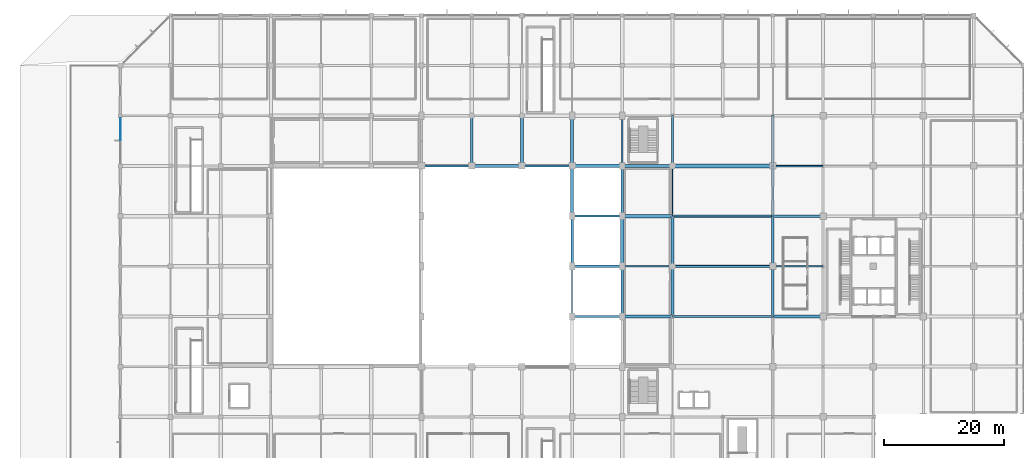
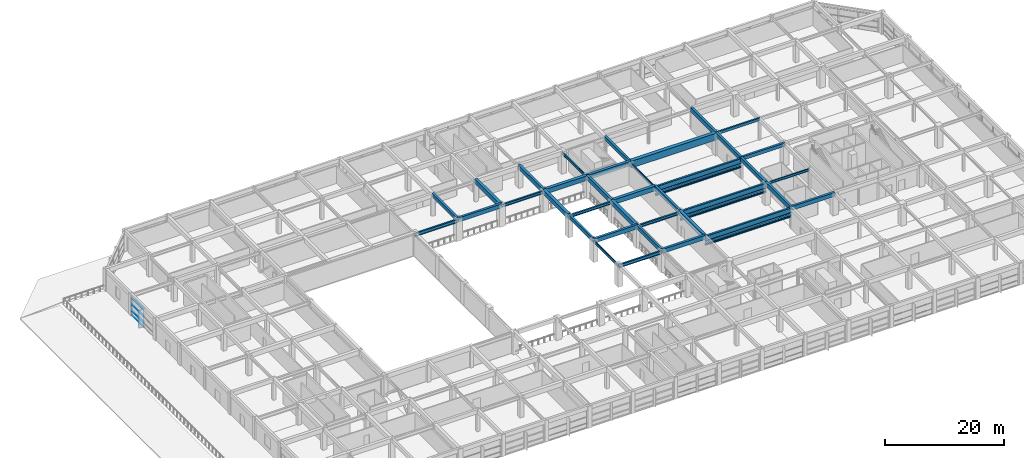
# One storey, part 20 of 56: 37 beams, 7 members, 1 element without a shape of its own.
"""IFC4 building model written with IfcOpenShell, lengths in metres."""

from ifc_helpers import new_model, si_unit, direction, frame, origin, origin_2d, place, context, subcontext, project, spatial, rectangle, i_section, extrude, material, material_profile, profile_set, type_object, element, aggregate, save


model = new_model("IFC4")

# Units and contexts
model_context = context("Model", 3, precision=1e-05, world=origin(), true_north=direction((0.0, 1.0)))
body_context = subcontext(model_context, "Body", "Model", "MODEL_VIEW")
ifc_project = project(units=[si_unit("LENGTHUNIT", "METRE"), si_unit("AREAUNIT", "SQUARE_METRE"), si_unit("VOLUMEUNIT", "CUBIC_METRE"), si_unit("PLANEANGLEUNIT", "RADIAN"), si_unit("MASSUNIT", "GRAM", prefix="KILO")], contexts=[model_context])

# Site, building, storey
site_placement = place(None, origin())
site = spatial("IfcSite", under=ifc_project, at=site_placement, CompositionType="ELEMENT")
building_placement = place(site_placement, origin())
building = spatial("IfcBuilding", under=site, at=building_placement, Name="Xuanlan Plaza Opera House", CompositionType="ELEMENT")
storey_placement = place(building_placement, frame((0.0, 0.0, 18.89990234375)))
storey = spatial("IfcBuildingStorey", under=building, at=storey_placement, Name="L04", CompositionType="ELEMENT", Elevation=18.89990234375)

# Curtain wall, members
ifc_material_1 = material(Name="Anodised Aluminium 6063-T6 and Low-E Glass", Category="aluminium")
curtain_wall_type = type_object("IfcCurtainWallType", Name="ENV-CW-CW-03", PredefinedType="USERDEFINED", material=ifc_material_1)
curtain_wall_placement = place(storey_placement, origin())
curtain_wall = element("IfcCurtainWall", 1, at=curtain_wall_placement, inside=storey, type_object=curtain_wall_type, Name="Unitised Curtain Wall L04-045", ObjectType="UNITISED CURTAIN WALL", PredefinedType="USERDEFINED")
ifc_material_2 = material(Name="Anodised Aluminium 6063-T6", Category="aluminium")
ifc_material_profile_1 = material_profile(ifc_material_2, rectangle(XDim=0.06494140625, YDim=0.1201171875, at=origin_2d()), Name="ALU-T 65x120")
ifc_profile_set_1 = profile_set([ifc_material_profile_1], Name="Anodised Aluminium 6063-T6")
member_type_1 = type_object("IfcMemberType", Name="ENV-CWT-01", PredefinedType="USERDEFINED", material=ifc_profile_set_1)
member_1_placement = place(storey_placement, frame((16.800048828125, 83.614990234375, 0.03271484375), z_axis=(0.0, -1.0, 0.0), x_axis=(1.0, 0.0, 0.0)))
member_1 = element("IfcMember", 2, at=member_1_placement, type_object=member_type_1, Name="CW-03 transom 1.1", ObjectType="TRANSOM", PredefinedType="USERDEFINED", context=body_context, shape_type="SweptSolid", body=[
    extrude(rectangle(XDim=0.06494140625, YDim=0.1201171875, at=origin_2d()), origin(), (0.0, 0.0, 1.0), 3.757568359375),
])
member_2_placement = place(storey_placement, frame((16.800048828125, 83.614990234375, 0.9501953125), z_axis=(0.0, -1.0, 0.0), x_axis=(1.0, 0.0, 0.0)))
member_2 = element("IfcMember", 3, at=member_2_placement, type_object=member_type_1, Name="CW-03 transom 1.2", ObjectType="TRANSOM", PredefinedType="USERDEFINED", context=body_context, shape_type="SweptSolid", body=[
    extrude(rectangle(XDim=0.06494140625, YDim=0.1201171875, at=origin_2d()), origin(), (0.0, 0.0, 1.0), 3.757568359375),
])
member_3_placement = place(storey_placement, frame((16.800048828125, 83.614990234375, 2.25), z_axis=(0.0, -1.0, 0.0), x_axis=(1.0, 0.0, 0.0)))
member_3 = element("IfcMember", 4, at=member_3_placement, type_object=member_type_1, Name="CW-03 transom 1.3", ObjectType="TRANSOM", PredefinedType="USERDEFINED", context=body_context, shape_type="SweptSolid", body=[
    extrude(rectangle(XDim=0.06494140625, YDim=0.1201171875, at=origin_2d()), origin(), (0.0, 0.0, 1.0), 3.757568359375),
])
member_4_placement = place(storey_placement, frame((16.800048828125, 83.614990234375, 3.647705078125), z_axis=(0.0, -1.0, 0.0), x_axis=(1.0, 0.0, 0.0)))
member_4 = element("IfcMember", 5, at=member_4_placement, type_object=member_type_1, Name="CW-03 transom 1.4", ObjectType="TRANSOM", PredefinedType="USERDEFINED", context=body_context, shape_type="SweptSolid", body=[
    extrude(rectangle(XDim=0.06494140625, YDim=0.1201171875, at=origin_2d()), origin(), (0.0, 0.0, 1.0), 3.757568359375),
])
aggregate(curtain_wall, [member_1, member_2, member_3, member_4])

# Beams
ifc_material_3 = material(Name="Concrete C50", Category="concrete")
ifc_material_profile_2 = material_profile(ifc_material_3, rectangle(XDim=0.60009765625, YDim=0.949951171875, at=origin_2d()), Name="RC-BM 600x950")
ifc_profile_set_2 = profile_set([ifc_material_profile_2], Name="Concrete C50")
beam_type_1 = type_object("IfcBeamType", Name="STR-BM-B-01", PredefinedType="BEAM", material=ifc_profile_set_2)
beam_1_placement = place(storey_placement, frame((100.800048828125, 67.199951171875, 4.025146484375), z_axis=(1.0, 0.0, 0.0), x_axis=(0.0, 1.0, 0.0)))
element("IfcBeam", 6, at=beam_1_placement, inside=storey, type_object=beam_type_1, Name="Grid Beam X L04 13-14/I", PredefinedType="BEAM", context=body_context, shape_type="SweptSolid", body=[
    extrude(rectangle(XDim=0.60009765625, YDim=0.949951171875, at=origin_2d()), origin(), (0.0, 0.0, 1.0), 8.39990234375),
])
beam_2_placement = place(storey_placement, frame((92.39990234375, 75.60009765625, 4.025146484375), z_axis=(1.0, 0.0, 0.0), x_axis=(0.0, 1.0, 0.0)))
element("IfcBeam", 7, at=beam_2_placement, inside=storey, type_object=beam_type_1, Name="Grid Beam X L04 12-13/J", PredefinedType="BEAM", context=body_context, shape_type="SweptSolid", body=[
    extrude(rectangle(XDim=0.60009765625, YDim=0.949951171875, at=origin_2d()), origin(), (0.0, 0.0, 1.0), 8.400146484375),
])
ifc_material_profile_3 = material_profile(ifc_material_3, rectangle(XDim=0.550048828125, YDim=0.949951171875, at=origin_2d()), Name="RC-BM 550x950")
ifc_profile_set_3 = profile_set([ifc_material_profile_3], Name="Concrete C50")
beam_type_2 = type_object("IfcBeamType", Name="STR-BM-B-02", PredefinedType="BEAM", material=ifc_profile_set_3)
for number, where, z_axis, x_axis, name in (
    (8, (100.800048828125, 75.60009765625, 4.025146484375), (1.0, 0.0, 0.0), (0.0, 1.0, 0.0), "Grid Beam X L04 13-14/J"),
    (9, (84.0, 75.60009765625, 4.025146484375), (0.0, 1.0, 0.0), (-1.0, 0.0, 0.0), "Grid Beam Y L04 11/J-K"),
):
    element("IfcBeam", number, at=place(storey_placement, frame(where, z_axis=z_axis, x_axis=x_axis)), inside=storey, type_object=beam_type_2, Name=name, PredefinedType="BEAM", context=body_context, shape_type="SweptSolid", body=[
        extrude(rectangle(XDim=0.550048828125, YDim=0.949951171875, at=origin_2d()), origin(), (0.0, 0.0, 1.0), 8.39990234375),
    ])
beam_3_placement = place(storey_placement, frame((92.39990234375, 67.199951171875, 4.025146484375), z_axis=(0.0, 1.0, 0.0), x_axis=(-1.0, 0.0, 0.0)))
element("IfcBeam", 10, at=beam_3_placement, inside=storey, type_object=beam_type_2, Name="Grid Beam Y L04 12/I-J", PredefinedType="BEAM", context=body_context, shape_type="SweptSolid", body=[
    extrude(rectangle(XDim=0.550048828125, YDim=0.949951171875, at=origin_2d()), origin(), (0.0, 0.0, 1.0), 8.400146484375),
])
beam_4_placement = place(storey_placement, frame((100.800048828125, 58.800048828125, 4.025146484375), z_axis=(0.0, 1.0, 0.0), x_axis=(-1.0, 0.0, 0.0)))
element("IfcBeam", 11, at=beam_4_placement, inside=storey, type_object=beam_type_2, Name="Grid Beam Y L04 13/H-I", PredefinedType="BEAM", context=body_context, shape_type="SweptSolid", body=[
    extrude(rectangle(XDim=0.550048828125, YDim=0.949951171875, at=origin_2d()), origin(), (0.0, 0.0, 1.0), 8.39990234375),
])
beam_5_placement = place(storey_placement, frame((109.199951171875, 50.39990234375, 4.025146484375), z_axis=(0.0, 1.0, 0.0), x_axis=(-1.0, 0.0, 0.0)))
element("IfcBeam", 12, at=beam_5_placement, inside=storey, type_object=beam_type_2, Name="Grid Beam Y L04 14/G-H", PredefinedType="BEAM", context=body_context, shape_type="SweptSolid", body=[
    extrude(rectangle(XDim=0.550048828125, YDim=0.949951171875, at=origin_2d()), origin(), (0.0, 0.0, 1.0), 8.400146484375),
])
ifc_material_4 = material(Name="Concrete C40", Category="concrete")
ifc_material_profile_4 = material_profile(ifc_material_4, rectangle(XDim=0.449951171875, YDim=0.85009765625, at=origin_2d()), Name="RC-BM 450x850")
ifc_profile_set_4 = profile_set([ifc_material_profile_4], Name="Concrete C40")
beam_type_3 = type_object("IfcBeamType", Name="STR-BM-B-04", PredefinedType="BEAM", material=ifc_profile_set_4)
beam_6_placement = place(storey_placement, frame((100.800048828125, 50.39990234375, 4.0751953125), z_axis=(1.0, 0.0, 0.0), x_axis=(0.0, 1.0, 0.0)))
element("IfcBeam", 13, at=beam_6_placement, inside=storey, type_object=beam_type_3, Name="Grid Beam X L04 13-14/G", PredefinedType="BEAM", context=body_context, shape_type="SweptSolid", body=[
    extrude(rectangle(XDim=0.449951171875, YDim=0.85009765625, at=origin_2d()), origin(), (0.0, 0.0, 1.0), 8.39990234375),
])
beam_7_placement = place(storey_placement, frame((92.39990234375, 58.800048828125, 4.0751953125), z_axis=(1.0, 0.0, 0.0), x_axis=(0.0, 1.0, 0.0)))
element("IfcBeam", 14, at=beam_7_placement, inside=storey, type_object=beam_type_3, Name="Grid Beam X L04 12-13/H", PredefinedType="BEAM", context=body_context, shape_type="SweptSolid", body=[
    extrude(rectangle(XDim=0.449951171875, YDim=0.85009765625, at=origin_2d()), origin(), (0.0, 0.0, 1.0), 8.400146484375),
])
for number, where, z_axis, x_axis, name in (
    (15, (75.60009765625, 75.60009765625, 4.0751953125), (1.0, 0.0, 0.0), (0.0, 1.0, 0.0), "Grid Beam X L04 10-11/J"),
    (16, (92.39990234375, 75.60009765625, 4.0751953125), (0.0, 1.0, 0.0), (-1.0, 0.0, 0.0), "Grid Beam Y L04 12/J-K"),
):
    element("IfcBeam", number, at=place(storey_placement, frame(where, z_axis=z_axis, x_axis=x_axis)), inside=storey, type_object=beam_type_3, Name=name, PredefinedType="BEAM", context=body_context, shape_type="SweptSolid", body=[
        extrude(rectangle(XDim=0.449951171875, YDim=0.85009765625, at=origin_2d()), origin(), (0.0, 0.0, 1.0), 8.39990234375),
    ])
beam_8_placement = place(storey_placement, frame((100.800048828125, 67.199951171875, 4.0751953125), z_axis=(0.0, 1.0, 0.0), x_axis=(-1.0, 0.0, 0.0)))
element("IfcBeam", 17, at=beam_8_placement, inside=storey, type_object=beam_type_3, Name="Grid Beam Y L04 13/I-J", PredefinedType="BEAM", context=body_context, shape_type="SweptSolid", body=[
    extrude(rectangle(XDim=0.449951171875, YDim=0.85009765625, at=origin_2d()), origin(), (0.0, 0.0, 1.0), 8.400146484375),
])
beam_9_placement = place(storey_placement, frame((109.199951171875, 58.800048828125, 4.0751953125), z_axis=(0.0, 1.0, 0.0), x_axis=(-1.0, 0.0, 0.0)))
element("IfcBeam", 18, at=beam_9_placement, inside=storey, type_object=beam_type_3, Name="Grid Beam Y L04 14/H-I", PredefinedType="BEAM", context=body_context, shape_type="SweptSolid", body=[
    extrude(rectangle(XDim=0.449951171875, YDim=0.85009765625, at=origin_2d()), origin(), (0.0, 0.0, 1.0), 8.39990234375),
])
beam_10_placement = place(storey_placement, frame((126.0, 50.39990234375, 4.0751953125), z_axis=(0.0, 1.0, 0.0), x_axis=(-1.0, 0.0, 0.0)))
element("IfcBeam", 19, at=beam_10_placement, inside=storey, type_object=beam_type_3, Name="Grid Beam Y L04 16/G-H", PredefinedType="BEAM", context=body_context, shape_type="SweptSolid", body=[
    extrude(rectangle(XDim=0.449951171875, YDim=0.85009765625, at=origin_2d()), origin(), (0.0, 0.0, 1.0), 8.400146484375),
])
beam_11_placement = place(storey_placement, frame((126.0, 58.800048828125, 4.0751953125), z_axis=(0.0, 1.0, 0.0), x_axis=(-1.0, 0.0, 0.0)))
element("IfcBeam", 20, at=beam_11_placement, inside=storey, type_object=beam_type_3, Name="Grid Beam Y L04 16/H-I", PredefinedType="BEAM", context=body_context, shape_type="SweptSolid", body=[
    extrude(rectangle(XDim=0.449951171875, YDim=0.85009765625, at=origin_2d()), origin(), (0.0, 0.0, 1.0), 8.39990234375),
])
beam_12_placement = place(storey_placement, frame((126.0, 67.199951171875, 4.0751953125), z_axis=(0.0, 1.0, 0.0), x_axis=(-1.0, 0.0, 0.0)))
element("IfcBeam", 21, at=beam_12_placement, inside=storey, type_object=beam_type_3, Name="Grid Beam Y L04 16/I-J", PredefinedType="BEAM", context=body_context, shape_type="SweptSolid", body=[
    extrude(rectangle(XDim=0.449951171875, YDim=0.85009765625, at=origin_2d()), origin(), (0.0, 0.0, 1.0), 8.400146484375),
])
beam_13_placement = place(storey_placement, frame((126.0, 75.60009765625, 4.0751953125), z_axis=(0.0, 1.0, 0.0), x_axis=(-1.0, 0.0, 0.0)))
element("IfcBeam", 22, at=beam_13_placement, inside=storey, type_object=beam_type_3, Name="Grid Beam Y L04 16/J-K", PredefinedType="BEAM", context=body_context, shape_type="SweptSolid", body=[
    extrude(rectangle(XDim=0.449951171875, YDim=0.85009765625, at=origin_2d()), origin(), (0.0, 0.0, 1.0), 8.39990234375),
])
ifc_material_profile_5 = material_profile(ifc_material_4, rectangle(XDim=0.449951171875, YDim=0.800048828125, at=origin_2d()), Name="RC-BM 450x800")
ifc_profile_set_5 = profile_set([ifc_material_profile_5], Name="Concrete C40")
beam_type_4 = type_object("IfcBeamType", Name="STR-BM-B-05", PredefinedType="BEAM", material=ifc_profile_set_5)
beam_14_placement = place(storey_placement, frame((126.0, 50.39990234375, 4.10009765625), z_axis=(1.0, 0.0, 0.0), x_axis=(0.0, 1.0, 0.0)))
element("IfcBeam", 23, at=beam_14_placement, inside=storey, type_object=beam_type_4, Name="Grid Beam X L04 16-17/G", PredefinedType="BEAM", context=body_context, shape_type="SweptSolid", body=[
    extrude(rectangle(XDim=0.449951171875, YDim=0.800048828125, at=origin_2d()), origin(), (0.0, 0.0, 1.0), 8.39990234375),
])
ifc_material_profile_6 = material_profile(ifc_material_4, rectangle(XDim=0.39990234375, YDim=0.75, at=origin_2d()), Name="RC-BM 400x750")
ifc_profile_set_6 = profile_set([ifc_material_profile_6], Name="Concrete C40")
beam_type_5 = type_object("IfcBeamType", Name="STR-BM-B-06", PredefinedType="BEAM", material=ifc_profile_set_6)
for number, where, z_axis, x_axis, name in (
    (24, (75.60009765625, 75.60009765625, 4.125), (0.0, 1.0, 0.0), (-1.0, 0.0, 0.0), "Grid Beam Y L04 10/J-K"),
    (25, (92.39990234375, 58.800048828125, 4.125), (0.0, 1.0, 0.0), (-1.0, 0.0, 0.0), "Grid Beam Y L04 12/H-I"),
):
    element("IfcBeam", number, at=place(storey_placement, frame(where, z_axis=z_axis, x_axis=x_axis)), inside=storey, type_object=beam_type_5, Name=name, PredefinedType="BEAM", context=body_context, shape_type="SweptSolid", body=[
        extrude(rectangle(XDim=0.39990234375, YDim=0.75, at=origin_2d()), origin(), (0.0, 0.0, 1.0), 8.39990234375),
    ])
beam_15_placement = place(storey_placement, frame((100.800048828125, 50.39990234375, 4.125), z_axis=(0.0, 1.0, 0.0), x_axis=(-1.0, 0.0, 0.0)))
element("IfcBeam", 26, at=beam_15_placement, inside=storey, type_object=beam_type_5, Name="Grid Beam Y L04 13/G-H", PredefinedType="BEAM", context=body_context, shape_type="SweptSolid", body=[
    extrude(rectangle(XDim=0.39990234375, YDim=0.75, at=origin_2d()), origin(), (0.0, 0.0, 1.0), 8.400146484375),
])
beam_16_placement = place(storey_placement, frame((109.199951171875, 75.60009765625, 4.125), z_axis=(0.0, 1.0, 0.0), x_axis=(-1.0, 0.0, 0.0)))
element("IfcBeam", 27, at=beam_16_placement, inside=storey, type_object=beam_type_5, Name="Grid Beam Y L04 14/J-K", PredefinedType="BEAM", context=body_context, shape_type="SweptSolid", body=[
    extrude(rectangle(XDim=0.39990234375, YDim=0.75, at=origin_2d()), origin(), (0.0, 0.0, 1.0), 8.39990234375),
])
ifc_material_profile_7 = material_profile(ifc_material_4, rectangle(XDim=0.39990234375, YDim=0.699951171875, at=origin_2d()), Name="RC-BM 400x700")
ifc_profile_set_7 = profile_set([ifc_material_profile_7], Name="Concrete C40")
beam_type_6 = type_object("IfcBeamType", Name="STR-BM-B-07", PredefinedType="BEAM", material=ifc_profile_set_7)
beam_17_placement = place(storey_placement, frame((126.0, 67.199951171875, 4.150146484375), z_axis=(1.0, 0.0, 0.0), x_axis=(0.0, 1.0, 0.0)))
element("IfcBeam", 28, at=beam_17_placement, inside=storey, type_object=beam_type_6, Name="Grid Beam X L04 16-17/I", PredefinedType="BEAM", context=body_context, shape_type="SweptSolid", body=[
    extrude(rectangle(XDim=0.39990234375, YDim=0.699951171875, at=origin_2d()), origin(), (0.0, 0.0, 1.0), 8.39990234375),
])
ifc_material_profile_8 = material_profile(ifc_material_4, rectangle(XDim=0.300048828125, YDim=0.550048828125, at=origin_2d()), Name="RC-BM 300x550")
ifc_profile_set_8 = profile_set([ifc_material_profile_8], Name="Concrete C40")
beam_type_7 = type_object("IfcBeamType", Name="STR-BM-B-09", PredefinedType="BEAM", material=ifc_profile_set_8)
beam_18_placement = place(storey_placement, frame((126.0, 75.60009765625, 4.22509765625), z_axis=(1.0, 0.0, 0.0), x_axis=(0.0, 1.0, 0.0)))
element("IfcBeam", 29, at=beam_18_placement, inside=storey, type_object=beam_type_7, Name="Grid Beam X L04 16-17/J", PredefinedType="BEAM", context=body_context, shape_type="SweptSolid", body=[
    extrude(rectangle(XDim=0.300048828125, YDim=0.550048828125, at=origin_2d()), origin(), (0.0, 0.0, 1.0), 8.39990234375),
])
ifc_material_profile_9 = material_profile(ifc_material_3, rectangle(XDim=0.699951171875, YDim=1.39990234375, at=origin_2d()), Name="RC-LG 700x1400")
ifc_profile_set_9 = profile_set([ifc_material_profile_9], Name="Concrete C50")
beam_type_8 = type_object("IfcBeamType", Name="STR-BM-LG-01", PredefinedType="BEAM", material=ifc_profile_set_9)
beam_19_placement = place(storey_placement, frame((109.199951171875, 75.60009765625, 3.800048828125), z_axis=(1.0, 0.0, 0.0), x_axis=(0.0, 1.0, 0.0)))
element("IfcBeam", 30, at=beam_19_placement, inside=storey, type_object=beam_type_8, Name="Grid Beam X L04 14-16/J", PredefinedType="BEAM", context=body_context, shape_type="SweptSolid", body=[
    extrude(rectangle(XDim=0.699951171875, YDim=1.39990234375, at=origin_2d()), origin(), (0.0, 0.0, 1.0), 16.800048828125),
])
ifc_material_5 = material(Name="Steel Q390B", Category="steel")
ifc_material_profile_10 = material_profile(ifc_material_5, i_section(OverallWidth=0.35009765625, OverallDepth=1.10009765625, WebThickness=0.01806640625, FlangeThickness=0.031982421875, FilletRadius=0.028076171875, at=origin_2d()), Name="HN 1100x350x18x32")
ifc_profile_set_10 = profile_set([ifc_material_profile_10], Name="Steel Q390B")
beam_type_9 = type_object("IfcBeamType", Name="STR-BM-LG-02", PredefinedType="BEAM", material=ifc_profile_set_10)
for number, where, z_axis, x_axis, name in (
    (31, (109.199951171875, 50.39990234375, 3.68505859375), (1.0, 0.0, 0.0), (0.0, 1.0, 0.0), "Grid Beam X L04 14-16/G"),
    (32, (109.199951171875, 58.800048828125, 3.68505859375), (1.0, 0.0, 0.0), (0.0, 1.0, 0.0), "Grid Beam X L04 14-16/H"),
    (33, (109.199951171875, 67.199951171875, 3.68505859375), (1.0, 0.0, 0.0), (0.0, 1.0, 0.0), "Grid Beam X L04 14-16/I"),
):
    element("IfcBeam", number, at=place(storey_placement, frame(where, z_axis=z_axis, x_axis=x_axis)), inside=storey, type_object=beam_type_9, Name=name, PredefinedType="BEAM", context=body_context, shape_type="SweptSolid", body=[
        extrude(i_section(OverallWidth=0.35009765625, OverallDepth=1.10009765625, WebThickness=0.01806640625, FlangeThickness=0.031982421875, FilletRadius=0.028076171875, at=origin_2d()), origin(), (0.0, 0.0, 1.0), 16.800048828125),
    ])
ifc_material_6 = material(Name="Steel Q355B", Category="steel")
ifc_material_profile_11 = material_profile(ifc_material_6, i_section(OverallWidth=0.300048828125, OverallDepth=0.699951171875, WebThickness=0.012939453125, FlangeThickness=0.02392578125, FilletRadius=0.02392578125, at=origin_2d()), Name="HN 700x300x13x24")
ifc_profile_set_11 = profile_set([ifc_material_profile_11], Name="Steel Q355B")
beam_type_10 = type_object("IfcBeamType", Name="STR-BM-SB-03", PredefinedType="BEAM", material=ifc_profile_set_11)
for number, where, z_axis, x_axis, name in (
    (34, (92.39990234375, 50.39990234375, 3.885009765625), (1.0, 0.0, 0.0), (0.0, 1.0, 0.0), "Grid Beam X L04 12-13/G"),
    (35, (67.199951171875, 75.60009765625, 3.885009765625), (1.0, 0.0, 0.0), (0.0, 1.0, 0.0), "Grid Beam X L04 9-10/J"),
):
    element("IfcBeam", number, at=place(storey_placement, frame(where, z_axis=z_axis, x_axis=x_axis)), inside=storey, type_object=beam_type_10, Name=name, PredefinedType="BEAM", context=body_context, shape_type="SweptSolid", body=[
        extrude(i_section(OverallWidth=0.300048828125, OverallDepth=0.699951171875, WebThickness=0.012939453125, FlangeThickness=0.02392578125, FilletRadius=0.02392578125, at=origin_2d()), origin(), (0.0, 0.0, 1.0), 8.400146484375),
    ])
ifc_material_profile_12 = material_profile(ifc_material_6, i_section(OverallWidth=0.199951171875, OverallDepth=0.60009765625, WebThickness=0.010986328125, FlangeThickness=0.01708984375, FilletRadius=0.02197265625, at=origin_2d()), Name="HN 600x200x11x17")
ifc_profile_set_12 = profile_set([ifc_material_profile_12], Name="Steel Q355B")
beam_type_11 = type_object("IfcBeamType", Name="STR-BM-SB-04", PredefinedType="BEAM", material=ifc_profile_set_12)
beam_20_placement = place(storey_placement, frame((92.39990234375, 50.39990234375, 3.93505859375), z_axis=(0.0, 1.0, 0.0), x_axis=(-1.0, 0.0, 0.0)))
element("IfcBeam", 36, at=beam_20_placement, inside=storey, type_object=beam_type_11, Name="Grid Beam Y L04 12/G-H", PredefinedType="BEAM", context=body_context, shape_type="SweptSolid", body=[
    extrude(i_section(OverallWidth=0.199951171875, OverallDepth=0.60009765625, WebThickness=0.010986328125, FlangeThickness=0.01708984375, FilletRadius=0.02197265625, at=origin_2d()), origin(), (0.0, 0.0, 1.0), 8.400146484375),
])
beam_21_placement = place(storey_placement, frame((100.800048828125, 75.60009765625, 3.93505859375), z_axis=(0.0, 1.0, 0.0), x_axis=(-1.0, 0.0, 0.0)))
element("IfcBeam", 37, at=beam_21_placement, inside=storey, type_object=beam_type_11, Name="Grid Beam Y L04 13/J-K", PredefinedType="BEAM", context=body_context, shape_type="SweptSolid", body=[
    extrude(i_section(OverallWidth=0.199951171875, OverallDepth=0.60009765625, WebThickness=0.010986328125, FlangeThickness=0.01708984375, FilletRadius=0.02197265625, at=origin_2d()), origin(), (0.0, 0.0, 1.0), 8.39990234375),
])
beam_22_placement = place(storey_placement, frame((109.199951171875, 67.199951171875, 3.93505859375), z_axis=(0.0, 1.0, 0.0), x_axis=(-1.0, 0.0, 0.0)))
element("IfcBeam", 38, at=beam_22_placement, inside=storey, type_object=beam_type_11, Name="Grid Beam Y L04 14/I-J", PredefinedType="BEAM", context=body_context, shape_type="SweptSolid", body=[
    extrude(i_section(OverallWidth=0.199951171875, OverallDepth=0.60009765625, WebThickness=0.010986328125, FlangeThickness=0.01708984375, FilletRadius=0.02197265625, at=origin_2d()), origin(), (0.0, 0.0, 1.0), 8.400146484375),
])
ifc_material_profile_13 = material_profile(ifc_material_6, i_section(OverallWidth=0.199951171875, OverallDepth=0.5, WebThickness=0.010009765625, FlangeThickness=0.01611328125, FilletRadius=0.02001953125, at=origin_2d()), Name="HN 500x200x10x16")
ifc_profile_set_13 = profile_set([ifc_material_profile_13], Name="Steel Q355B")
beam_type_12 = type_object("IfcBeamType", Name="STR-BM-SB-05", PredefinedType="BEAM", material=ifc_profile_set_13)
beam_23_placement = place(storey_placement, frame((126.0, 58.800048828125, 3.985107421875), z_axis=(1.0, 0.0, 0.0), x_axis=(0.0, 1.0, 0.0)))
element("IfcBeam", 39, at=beam_23_placement, inside=storey, type_object=beam_type_12, Name="Grid Beam X L04 16-17/H", PredefinedType="BEAM", context=body_context, shape_type="SweptSolid", body=[
    extrude(i_section(OverallWidth=0.199951171875, OverallDepth=0.5, WebThickness=0.010009765625, FlangeThickness=0.01611328125, FilletRadius=0.02001953125, at=origin_2d()), origin(), (0.0, 0.0, 1.0), 8.39990234375),
])
ifc_material_profile_14 = material_profile(ifc_material_6, i_section(OverallWidth=0.300048828125, OverallDepth=0.587890625, WebThickness=0.011962890625, FlangeThickness=0.02001953125, FilletRadius=0.02392578125, at=origin_2d()), Name="HM 588x300x12x20")
ifc_profile_set_14 = profile_set([ifc_material_profile_14], Name="Steel Q355B")
beam_type_13 = type_object("IfcBeamType", Name="STR-BM-SB-06", PredefinedType="BEAM", material=ifc_profile_set_14)
beam_24_placement = place(storey_placement, frame((100.800048828125, 58.800048828125, 3.941162109375), z_axis=(1.0, 0.0, 0.0), x_axis=(0.0, 1.0, 0.0)))
element("IfcBeam", 40, at=beam_24_placement, inside=storey, type_object=beam_type_13, Name="Grid Beam X L04 13-14/H", PredefinedType="BEAM", context=body_context, shape_type="SweptSolid", body=[
    extrude(i_section(OverallWidth=0.300048828125, OverallDepth=0.587890625, WebThickness=0.011962890625, FlangeThickness=0.02001953125, FilletRadius=0.02392578125, at=origin_2d()), origin(), (0.0, 0.0, 1.0), 8.39990234375),
])
beam_25_placement = place(storey_placement, frame((92.39990234375, 67.199951171875, 3.941162109375), z_axis=(1.0, 0.0, 0.0), x_axis=(0.0, 1.0, 0.0)))
element("IfcBeam", 41, at=beam_25_placement, inside=storey, type_object=beam_type_13, Name="Grid Beam X L04 12-13/I", PredefinedType="BEAM", context=body_context, shape_type="SweptSolid", body=[
    extrude(i_section(OverallWidth=0.300048828125, OverallDepth=0.587890625, WebThickness=0.011962890625, FlangeThickness=0.02001953125, FilletRadius=0.02392578125, at=origin_2d()), origin(), (0.0, 0.0, 1.0), 8.400146484375),
])
beam_26_placement = place(storey_placement, frame((84.0, 75.60009765625, 3.941162109375), z_axis=(1.0, 0.0, 0.0), x_axis=(0.0, 1.0, 0.0)))
element("IfcBeam", 42, at=beam_26_placement, inside=storey, type_object=beam_type_13, Name="Grid Beam X L04 11-12/J", PredefinedType="BEAM", context=body_context, shape_type="SweptSolid", body=[
    extrude(i_section(OverallWidth=0.300048828125, OverallDepth=0.587890625, WebThickness=0.011962890625, FlangeThickness=0.02001953125, FilletRadius=0.02392578125, at=origin_2d()), origin(), (0.0, 0.0, 1.0), 8.39990234375),
])

# Members
ifc_material_profile_15 = material_profile(ifc_material_5, i_section(OverallWidth=0.39990234375, OverallDepth=0.39990234375, WebThickness=0.012939453125, FlangeThickness=0.02099609375, FilletRadius=0.02197265625, at=origin_2d()), Name="HW 400x400x13x21")
ifc_profile_set_15 = profile_set([ifc_material_profile_15], Name="Steel Q390B")
member_type_2 = type_object("IfcMemberType", Name="STR-MEM-ATC-01", PredefinedType="CHORD", material=ifc_profile_set_15)
for number, where, z_axis, x_axis, name in (
    (43, (109.199951171875, 50.39990234375, 2.53515625), (1.0, 0.0, 0.0), (0.0, 1.0, 0.0), "Atrium Truss Bottom Chord L04 Grid G"),
    (44, (109.199951171875, 58.800048828125, 2.53515625), (1.0, 0.0, 0.0), (0.0, 1.0, 0.0), "Atrium Truss Bottom Chord L04 Grid H"),
    (45, (109.199951171875, 67.199951171875, 2.53515625), (1.0, 0.0, 0.0), (0.0, 1.0, 0.0), "Atrium Truss Bottom Chord L04 Grid I"),
):
    element("IfcMember", number, at=place(storey_placement, frame(where, z_axis=z_axis, x_axis=x_axis)), inside=storey, type_object=member_type_2, Name=name, PredefinedType="CHORD", context=body_context, shape_type="SweptSolid", body=[
        extrude(i_section(OverallWidth=0.39990234375, OverallDepth=0.39990234375, WebThickness=0.012939453125, FlangeThickness=0.02099609375, FilletRadius=0.02197265625, at=origin_2d()), origin(), (0.0, 0.0, 1.0), 16.800048828125),
    ])

save(model, "model.ifc")
